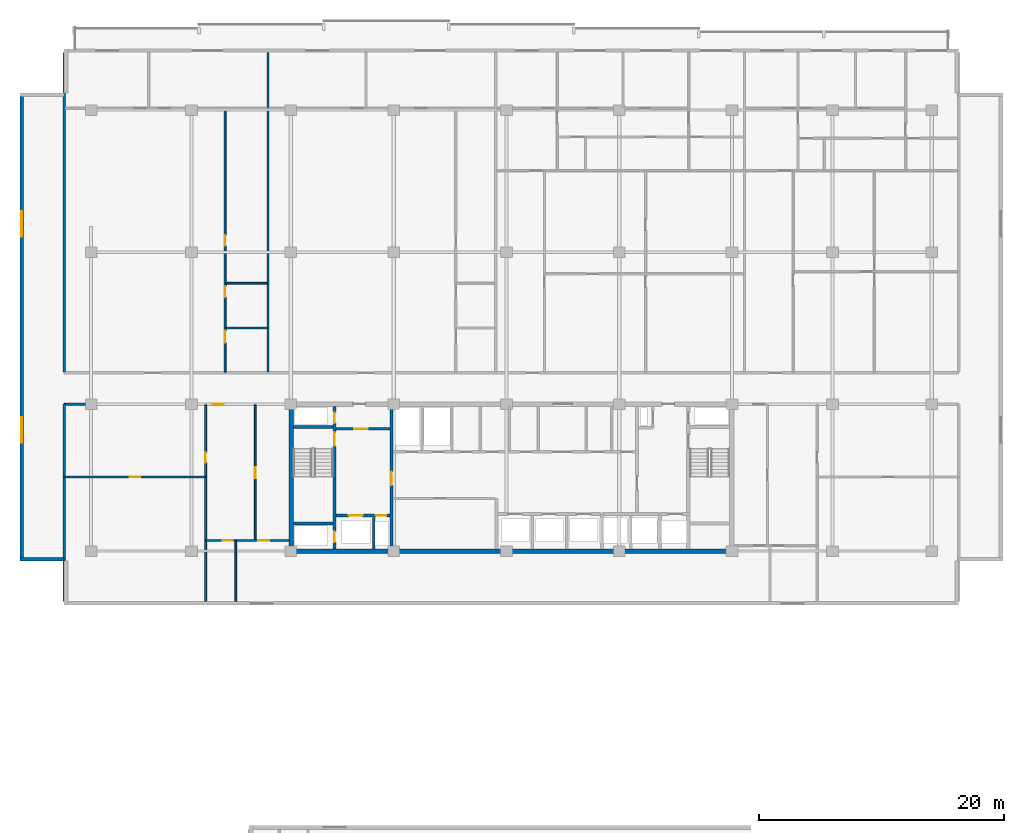
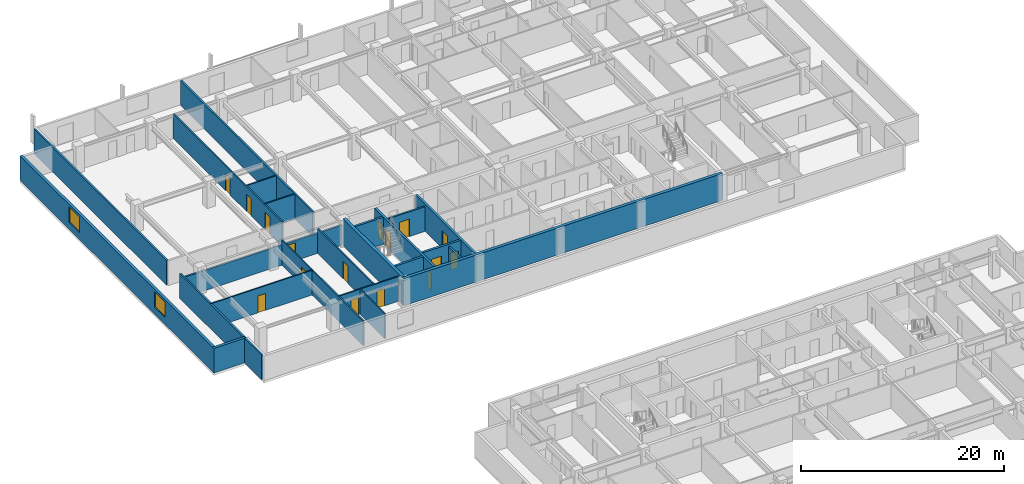
# One storey, part 11 of 22: 23 walls, 16 doors, 2 windows, 18 openings.
"""IFC4 building model written with IfcOpenShell, lengths in metres."""

from ifc_helpers import new_model, si_unit, direction, frame, frame_2d, origin, place, context, subcontext, project, spatial, rectangle, extrude, material, layer, layer_set, type_object, element, fill, save


model = new_model("IFC4")

# Units and contexts
model_context = context("Model", 3, precision=1e-05, world=origin(), true_north=direction((0.0, 1.0)))
body_context = subcontext(model_context, "Body", "Model", "MODEL_VIEW")
ifc_project = project(units=[si_unit("LENGTHUNIT", "METRE"), si_unit("AREAUNIT", "SQUARE_METRE"), si_unit("VOLUMEUNIT", "CUBIC_METRE"), si_unit("PLANEANGLEUNIT", "RADIAN"), si_unit("MASSUNIT", "GRAM", prefix="KILO")], contexts=[model_context])

# Site, building, storey
site_placement = place(None, origin())
site = spatial("IfcSite", under=ifc_project, at=site_placement, CompositionType="ELEMENT")
building_placement = place(site_placement, origin())
building = spatial("IfcBuilding", under=site, at=building_placement, Name="Korimba Cascade Residences", CompositionType="ELEMENT")
storey_placement = place(building_placement, frame((0.0, 0.0, 129.550048828125)))
storey = spatial("IfcBuildingStorey", under=building, at=storey_placement, Name="L37", CompositionType="ELEMENT", Elevation=129.550048828125)

# Wall, openings, windows
ifc_material_1 = material(Name="Precast concrete C40/50", Category="concrete")
ifc_layer_1 = layer(ifc_material_1, 0.300048828125)
ifc_layer_set_1 = layer_set([ifc_layer_1], Name="Precast concrete C40/50")
wall_type_1 = type_object("IfcWallType", Name="EW-STONE-300", PredefinedType="STANDARD", material=ifc_layer_set_1)
wall_1_placement = place(storey_placement, frame((54.14990234375, 92.60009765625, 0.0), z_axis=(0.0, 0.0, 1.0), x_axis=(0.0, -1.0, 0.0)))
wall_1 = element("IfcWall", 1, at=wall_1_placement, inside=storey, type_object=wall_type_1, Name="L37 T1 Perimeter Stone Wall E09", PredefinedType="STANDARD", context=body_context, shape_type="SweptSolid", body=[
    extrude(rectangle(XDim=38.2001953125, YDim=0.300048828125, at=frame_2d((19.10009765625, 0.0))), origin(), (0.0, 0.0, 1.0), 2.969970703125),
])
opening_1_placement = place(wall_1_placement, frame((9.64599609375, 0.0, 0.85009765625)))
opening_1 = element("IfcOpeningElement", 2, at=opening_1_placement, cuts=wall_1, Name="Opening W-03", PredefinedType="OPENING", context=body_context, shape_type="SweptSolid", body=[
    extrude(rectangle(XDim=2.10009765625, YDim=1.85009765625, at=frame_2d((1.050048828125, 0.925048828125))), frame((0.0, 0.16015625, 0.0), z_axis=(0.0, -1.0, 0.0), x_axis=(1.0, 0.0, 0.0)), (0.0, 0.0, 1.0), 0.320068359375),
])
opening_2_placement = place(wall_1_placement, frame((26.4541015625, 0.0, 0.85009765625)))
opening_2 = element("IfcOpeningElement", 3, at=opening_2_placement, cuts=wall_1, Name="Opening W-03", PredefinedType="OPENING", context=body_context, shape_type="SweptSolid", body=[
    extrude(rectangle(XDim=2.10009765625, YDim=1.85009765625, at=frame_2d((1.050048828125, 0.925048828125))), frame((0.0, 0.16015625, 0.0), z_axis=(0.0, -1.0, 0.0), x_axis=(1.0, 0.0, 0.0)), (0.0, 0.0, 1.0), 0.320068359375),
])
ifc_material_2 = material(Name="Double-Glazed Aluminium Window", Category="aluminium")
window_type = type_object("IfcWindowType", Name="WIN-CRN-2100", PartitioningType="DOUBLE_PANEL_HORIZONTAL", PredefinedType="WINDOW", material=ifc_material_2)
window_1_placement = place(opening_1_placement, origin())
window_1 = element("IfcWindow", 4, at=window_1_placement, inside=storey, type_object=window_type, Name="L37 T1 End View Window 9.1", OverallHeight=1.85009765625, OverallWidth=2.10009765625, PartitioningType="DOUBLE_PANEL_HORIZONTAL", PredefinedType="WINDOW", context=body_context, shape_type="SweptSolid", body=[
    extrude(rectangle(XDim=2.10009765625, YDim=1.85009765625, at=frame_2d((1.050048828125, 0.925048828125))), frame((0.0, 0.030029296875, 0.0), z_axis=(0.0, -1.0, 0.0), x_axis=(1.0, 0.0, 0.0)), (0.0, 0.0, 1.0), 0.06005859375),
])
fill(opening_1, window_1)
window_2_placement = place(opening_2_placement, origin())
window_2 = element("IfcWindow", 5, at=window_2_placement, inside=storey, type_object=window_type, Name="L37 T1 End View Window 9.2", OverallHeight=1.85009765625, OverallWidth=2.10009765625, PartitioningType="DOUBLE_PANEL_HORIZONTAL", PredefinedType="WINDOW", context=body_context, shape_type="SweptSolid", body=[
    extrude(rectangle(XDim=2.10009765625, YDim=1.85009765625, at=frame_2d((1.050048828125, 0.925048828125))), frame((0.0, 0.030029296875, 0.0), z_axis=(0.0, -1.0, 0.0), x_axis=(1.0, 0.0, 0.0)), (0.0, 0.0, 1.0), 0.06005859375),
])
fill(opening_2, window_2)

# Walls
wall_2_placement = place(storey_placement, frame((54.0, 54.550048828125, 0.0), z_axis=(0.0, 0.0, 1.0), x_axis=(1.0, 0.0, 0.0)))
element("IfcWall", 6, at=wall_2_placement, inside=storey, type_object=wall_type_1, Name="L37 T1 Perimeter Stone Wall E10", PredefinedType="STANDARD", context=body_context, shape_type="SweptSolid", body=[
    extrude(rectangle(XDim=3.60009765625, YDim=0.300048828125, at=frame_2d((1.800048828125, 0.0))), origin(), (0.0, 0.0, 1.0), 2.969970703125),
])
ifc_material_3 = material(Name="Concrete C65/80", Category="concrete")
ifc_layer_2 = layer(ifc_material_3, 0.35009765625)
ifc_layer_set_2 = layer_set([ifc_layer_2], Name="Concrete C65/80")
wall_type_2 = type_object("IfcWallType", Name="WAL-CORE-350", PredefinedType="SHEAR", material=ifc_layer_set_2)
wall_3_placement = place(storey_placement, frame((75.949951171875, 55.199951171875, 0.0), z_axis=(0.0, 0.0, 1.0), x_axis=(1.0, 0.0, 0.0)))
element("IfcWall", 7, at=wall_3_placement, inside=storey, type_object=wall_type_2, Name="L37 Core Shear Wall CW-L37-T1-S", PredefinedType="SHEAR", context=body_context, shape_type="SweptSolid", body=[
    extrude(rectangle(XDim=36.300048828125, YDim=0.35009765625, at=frame_2d((18.14990234375, 0.0))), origin(), (0.0, 0.0, 1.0), 3.25),
])
wall_4_placement = place(storey_placement, frame((76.125, 55.375, 0.0), z_axis=(0.0, 0.0, 1.0), x_axis=(0.0, 1.0, 0.0)))
element("IfcWall", 8, at=wall_4_placement, inside=storey, type_object=wall_type_2, Name="L37 Core Shear Wall CW-L37-T1-W", PredefinedType="SHEAR", context=body_context, shape_type="SweptSolid", body=[
    extrude(rectangle(XDim=11.64990234375, YDim=0.35009765625, at=frame_2d((5.824951171875, 0.0))), origin(), (0.0, 0.0, 1.0), 3.25),
])
ifc_layer_3 = layer(ifc_material_1, 0.199951171875)
ifc_layer_set_3 = layer_set([ifc_layer_3], Name="Precast concrete C40/50")
wall_type_3 = type_object("IfcWallType", Name="WAL-IT-200", PredefinedType="PARTITIONING", material=ifc_layer_set_3)
wall_5_placement = place(storey_placement, frame((57.60009765625, 51.10009765625, 0.0), z_axis=(0.0, 0.0, 1.0), x_axis=(0.0, 1.0, 0.0)))
element("IfcWall", 9, at=wall_5_placement, inside=storey, type_object=wall_type_3, Name="L37 Partition Wall WAL-L37-T1-FW-WL", PredefinedType="PARTITIONING", context=body_context, shape_type="SweptSolid", body=[
    extrude(rectangle(XDim=16.099853515625, YDim=0.199951171875, at=frame_2d((8.0498046875, 0.0))), origin(), (0.0, 0.0, 1.0), 2.969970703125),
])

# Wall, opening, door
wall_6_placement = place(storey_placement, frame((57.60009765625, 67.199951171875, 0.0), z_axis=(0.0, 0.0, 1.0), x_axis=(1.0, 0.0, 0.0)))
wall_6 = element("IfcWall", 10, at=wall_6_placement, inside=storey, type_object=wall_type_3, Name="L37 Partition Wall WAL-L37-T1-FW-N", PredefinedType="PARTITIONING", context=body_context, shape_type="SweptSolid", body=[
    extrude(rectangle(XDim=18.349853515625, YDim=0.199951171875, at=frame_2d((9.1748046875, 0.0))), origin(), (0.0, 0.0, 1.0), 2.433349609375),
])
opening_3_placement = place(wall_6_placement, frame((12.07470703125, 0.0, 0.0)))
opening_3 = element("IfcOpeningElement", 11, at=opening_3_placement, cuts=wall_6, Name="Opening D-UN1", PredefinedType="OPENING", context=body_context, shape_type="SweptSolid", body=[
    extrude(rectangle(XDim=0.949951171875, YDim=2.14990234375, at=frame_2d((0.47509765625, 1.074951171875))), frame((0.0, 0.10986328125, 0.0), z_axis=(0.0, -1.0, 0.0), x_axis=(1.0, 0.0, 0.0)), (0.0, 0.0, 1.0), 0.219970703125),
])
ifc_material_4 = material(Name="Fire-Rated Hardwood Apartment Entrance Door", Category="wood")
door_type_1 = type_object("IfcDoorType", Name="DR-FD60-950", OperationType="NOTDEFINED", PredefinedType="DOOR", material=ifc_material_4)
door_1_placement = place(opening_3_placement, origin())
door_1 = element("IfcDoor", 12, at=door_1_placement, inside=storey, type_object=door_type_1, Name="L37-T1-FW Entrance Door", OperationType="SINGLE_SWING_LEFT", OverallHeight=2.14990234375, OverallWidth=0.949951171875, PredefinedType="DOOR", context=body_context, shape_type="SweptSolid", body=[
    extrude(rectangle(XDim=0.949951171875, YDim=2.14990234375, at=frame_2d((0.47509765625, 1.074951171875))), frame((0.0, 0.02490234375, 0.0), z_axis=(0.0, -1.0, 0.0), x_axis=(1.0, 0.0, 0.0)), (0.0, 0.0, 1.0), 0.050048828125),
])
fill(opening_3, door_1)

# Walls
for number, where, z_axis, x_axis, name in (
    (13, (57.60009765625, 69.830078125, 0.0), (0.0, 0.0, 1.0), (0.0, 1.0, 0.0), "L37 Partition Wall WAL-L37-T1-BNDWL"),
    (14, (74.237548828125, 69.830078125, 0.0), (0.0, 0.0, 1.0), (0.0, 1.0, 0.0), "L37 Partition Wall WAL-L37-T1-DEM-1"),
):
    element("IfcWall", number, at=place(storey_placement, frame(where, z_axis=z_axis, x_axis=x_axis)), inside=storey, type_object=wall_type_3, Name=name, PredefinedType="PARTITIONING", context=body_context, shape_type="SweptSolid", body=[
        extrude(rectangle(XDim=26.06982421875, YDim=0.199951171875, at=frame_2d((13.034912109375, 0.0))), origin(), (0.0, 0.0, 1.0), 2.969970703125),
    ])

# Wall, opening, door
ifc_material_5 = material(Name="Insulated Acoustic Stud Partition", Category="gypsum")
ifc_layer_4 = layer(ifc_material_5, 0.14990234375)
ifc_layer_set_4 = layer_set([ifc_layer_4], Name="Insulated Acoustic Stud Partition")
wall_type_4 = type_object("IfcWallType", Name="WAL-PART-150", PredefinedType="PARTITIONING", material=ifc_layer_set_4)
wall_7_placement = place(storey_placement, frame((57.60009765625, 61.25, 0.0), z_axis=(0.0, 0.0, 1.0), x_axis=(1.0, 0.0, 0.0)))
wall_7 = element("IfcWall", 15, at=wall_7_placement, inside=storey, type_object=wall_type_4, Name="L37 Partition Wall WAL-L37-T1-FW-STH", PredefinedType="PARTITIONING", context=body_context, shape_type="SweptSolid", body=[
    extrude(rectangle(XDim=11.5498046875, YDim=0.14990234375, at=frame_2d((5.77490234375, 0.0))), origin(), (0.0, 0.0, 1.0), 2.969970703125),
])
opening_4_placement = place(wall_7_placement, frame((5.35498046875, 0.0, 0.0)))
opening_4 = element("IfcOpeningElement", 16, at=opening_4_placement, cuts=wall_7, Name="Opening D-BT1", PredefinedType="OPENING", context=body_context, shape_type="SweptSolid", body=[
    extrude(rectangle(XDim=0.840087890625, YDim=2.0400390625, at=frame_2d((0.419921875, 1.02001953125))), frame((0.0, 0.0849609375, 0.0), z_axis=(0.0, -1.0, 0.0), x_axis=(1.0, 0.0, 0.0)), (0.0, 0.0, 1.0), 0.169921875),
])
ifc_material_6 = material(Name="Moisture-Resistant Bathroom Timber Door", Category="wood")
door_type_2 = type_object("IfcDoorType", Name="DR-INT-850", OperationType="NOTDEFINED", PredefinedType="DOOR", material=ifc_material_6)
door_2_placement = place(opening_4_placement, origin())
door_2 = element("IfcDoor", 17, at=door_2_placement, inside=storey, type_object=door_type_2, Name="L37-T1-FW Dressing Store Door", OperationType="SINGLE_SWING_RIGHT", OverallHeight=2.0400390625, OverallWidth=0.840087890625, PredefinedType="DOOR", context=body_context, shape_type="SweptSolid", body=[
    extrude(rectangle(XDim=0.840087890625, YDim=2.0400390625, at=frame_2d((0.419921875, 1.02001953125))), frame((0.0, 0.02490234375, 0.0), z_axis=(0.0, -1.0, 0.0), x_axis=(1.0, 0.0, 0.0)), (0.0, 0.0, 1.0), 0.050048828125),
])
fill(opening_4, door_2)

wall_8_placement = place(storey_placement, frame((69.14990234375, 51.10009765625, 0.0), z_axis=(0.0, 0.0, 1.0), x_axis=(0.0, 1.0, 0.0)))
wall_8 = element("IfcWall", 18, at=wall_8_placement, inside=storey, type_object=wall_type_4, Name="L37 Partition Wall WAL-L37-T1-FW-STV", PredefinedType="PARTITIONING", context=body_context, shape_type="SweptSolid", body=[
    extrude(rectangle(XDim=16.0498046875, YDim=0.14990234375, at=frame_2d((8.02490234375, 0.0))), origin(), (0.0, 0.0, 1.0), 2.969970703125),
])
opening_5_placement = place(wall_8_placement, frame((11.300048828125, 0.0, 0.0)))
opening_5 = element("IfcOpeningElement", 19, at=opening_5_placement, cuts=wall_8, Name="Opening D-IN2", PredefinedType="OPENING", context=body_context, shape_type="SweptSolid", body=[
    extrude(rectangle(XDim=0.8798828125, YDim=2.06005859375, at=frame_2d((0.43994140625, 1.030029296875))), frame((0.0, 0.0849609375, 0.0), z_axis=(0.0, -1.0, 0.0), x_axis=(1.0, 0.0, 0.0)), (0.0, 0.0, 1.0), 0.169921875),
])
ifc_material_7 = material(Name="Acoustic Timber Bedroom Door", Category="wood")
door_type_3 = type_object("IfcDoorType", Name="DR-INT-880", OperationType="NOTDEFINED", PredefinedType="DOOR", material=ifc_material_7)
door_3_placement = place(opening_5_placement, origin())
door_3 = element("IfcDoor", 20, at=door_3_placement, inside=storey, type_object=door_type_3, Name="L37-T1-FW Study Door", OperationType="SINGLE_SWING_LEFT", OverallHeight=2.06005859375, OverallWidth=0.8798828125, PredefinedType="DOOR", context=body_context, shape_type="SweptSolid", body=[
    extrude(rectangle(XDim=0.8798828125, YDim=2.06005859375, at=frame_2d((0.43994140625, 1.030029296875))), frame((0.0, 0.02490234375, 0.0), z_axis=(0.0, -1.0, 0.0), x_axis=(1.0, 0.0, 0.0)), (0.0, 0.0, 1.0), 0.050048828125),
])
fill(opening_5, door_3)

wall_9_placement = place(storey_placement, frame((73.199951171875, 56.070068359375, 0.0), z_axis=(0.0, 0.0, 1.0), x_axis=(0.0, 1.0, 0.0)))
wall_9 = element("IfcWall", 21, at=wall_9_placement, inside=storey, type_object=wall_type_4, Name="L37 Partition Wall WAL-L37-T1-FW-VN", PredefinedType="PARTITIONING", context=body_context, shape_type="SweptSolid", body=[
    extrude(rectangle(XDim=11.079833984375, YDim=0.14990234375, at=frame_2d((5.5400390625, 0.0))), origin(), (0.0, 0.0, 1.0), 2.969970703125),
])
opening_6_placement = place(wall_9_placement, frame((5.080078125, 0.0, 0.0)))
opening_6 = element("IfcOpeningElement", 22, at=opening_6_placement, cuts=wall_9, Name="Opening D-IN1", PredefinedType="OPENING", context=body_context, shape_type="SweptSolid", body=[
    extrude(rectangle(XDim=0.919921875, YDim=2.080078125, at=frame_2d((0.4599609375, 1.0400390625))), frame((0.0, 0.0849609375, 0.0), z_axis=(0.0, -1.0, 0.0), x_axis=(1.0, 0.0, 0.0)), (0.0, 0.0, 1.0), 0.169921875),
])
ifc_material_8 = material(Name="Acoustic Timber Living Door", Category="wood")
door_type_4 = type_object("IfcDoorType", Name="DR-INT-920", OperationType="NOTDEFINED", PredefinedType="DOOR", material=ifc_material_8)
door_4_placement = place(opening_6_placement, origin())
door_4 = element("IfcDoor", 23, at=door_4_placement, inside=storey, type_object=door_type_4, Name="L37-T1-FW Living Door", OperationType="SINGLE_SWING_RIGHT", OverallHeight=2.080078125, OverallWidth=0.919921875, PredefinedType="DOOR", context=body_context, shape_type="SweptSolid", body=[
    extrude(rectangle(XDim=0.919921875, YDim=2.080078125, at=frame_2d((0.4599609375, 1.0400390625))), frame((0.0, 0.02490234375, 0.0), z_axis=(0.0, -1.0, 0.0), x_axis=(1.0, 0.0, 0.0)), (0.0, 0.0, 1.0), 0.050048828125),
])
fill(opening_6, door_4)

# Wall
wall_10_placement = place(storey_placement, frame((71.60009765625, 51.10009765625, 0.0), z_axis=(0.0, 0.0, 1.0), x_axis=(0.0, 1.0, 0.0)))
element("IfcWall", 24, at=wall_10_placement, inside=storey, type_object=wall_type_4, Name="L37 Partition Wall WAL-L37-T1-FW-VS", PredefinedType="PARTITIONING", context=body_context, shape_type="SweptSolid", body=[
    extrude(rectangle(XDim=4.969970703125, YDim=0.14990234375, at=frame_2d((2.48486328125, 0.0))), origin(), (0.0, 0.0, 1.0), 2.969970703125),
])

# Wall, openings, doors
wall_11_placement = place(storey_placement, frame((69.169921875, 56.070068359375, 0.0), z_axis=(0.0, 0.0, 1.0), x_axis=(1.0, 0.0, 0.0)))
wall_11 = element("IfcWall", 25, at=wall_11_placement, inside=storey, type_object=wall_type_4, Name="L37 Partition Wall WAL-L37-T1-FW-H", PredefinedType="PARTITIONING", context=body_context, shape_type="SweptSolid", body=[
    extrude(rectangle(XDim=6.760009765625, YDim=0.14990234375, at=frame_2d((3.3798828125, 0.0))), origin(), (0.0, 0.0, 1.0), 2.969970703125),
])
opening_7_placement = place(wall_11_placement, frame((1.3623046875, 0.0, 0.0)))
opening_7 = element("IfcOpeningElement", 26, at=opening_7_placement, cuts=wall_11, Name="Opening D-BT1", PredefinedType="OPENING", context=body_context, shape_type="SweptSolid", body=[
    extrude(rectangle(XDim=0.840087890625, YDim=2.0400390625, at=frame_2d((0.419921875, 1.02001953125))), frame((0.0, 0.0849609375, 0.0), z_axis=(0.0, -1.0, 0.0), x_axis=(1.0, 0.0, 0.0)), (0.0, 0.0, 1.0), 0.169921875),
])
opening_8_placement = place(wall_11_placement, frame((4.276611328125, 0.0, 0.0)))
opening_8 = element("IfcOpeningElement", 27, at=opening_8_placement, cuts=wall_11, Name="Opening D-IN2", PredefinedType="OPENING", context=body_context, shape_type="SweptSolid", body=[
    extrude(rectangle(XDim=0.8798828125, YDim=2.06005859375, at=frame_2d((0.43994140625, 1.030029296875))), frame((0.0, 0.0849609375, 0.0), z_axis=(0.0, -1.0, 0.0), x_axis=(1.0, 0.0, 0.0)), (0.0, 0.0, 1.0), 0.169921875),
])
door_5_placement = place(opening_7_placement, origin())
door_5 = element("IfcDoor", 28, at=door_5_placement, inside=storey, type_object=door_type_2, Name="L37-T1-FW Bathroom Door", OperationType="SINGLE_SWING_LEFT", OverallHeight=2.0400390625, OverallWidth=0.840087890625, PredefinedType="DOOR", context=body_context, shape_type="SweptSolid", body=[
    extrude(rectangle(XDim=0.840087890625, YDim=2.0400390625, at=frame_2d((0.419921875, 1.02001953125))), frame((0.0, 0.02490234375, 0.0), z_axis=(0.0, -1.0, 0.0), x_axis=(1.0, 0.0, 0.0)), (0.0, 0.0, 1.0), 0.050048828125),
])
fill(opening_7, door_5)
door_6_placement = place(opening_8_placement, origin())
door_6 = element("IfcDoor", 29, at=door_6_placement, inside=storey, type_object=door_type_3, Name="L37-T1-FW Bedroom Door", OperationType="SINGLE_SWING_RIGHT", OverallHeight=2.06005859375, OverallWidth=0.8798828125, PredefinedType="DOOR", context=body_context, shape_type="SweptSolid", body=[
    extrude(rectangle(XDim=0.8798828125, YDim=2.06005859375, at=frame_2d((0.43994140625, 1.030029296875))), frame((0.0, 0.02490234375, 0.0), z_axis=(0.0, -1.0, 0.0), x_axis=(1.0, 0.0, 0.0)), (0.0, 0.0, 1.0), 0.050048828125),
])
fill(opening_8, door_6)

# Walls
for number, where, z_axis, x_axis, name in (
    (30, (70.797607421875, 73.419921875, 0.0), (0.0, 0.0, 1.0), (1.0, 0.0, 0.0), "L37 Partition Wall WAL-L37-T1-U01-WCH"),
    (31, (70.797607421875, 77.070068359375, 0.0), (0.0, 0.0, 1.0), (1.0, 0.0, 0.0), "L37 Partition Wall WAL-L37-T1-U01-WCH2"),
):
    element("IfcWall", number, at=place(storey_placement, frame(where, z_axis=z_axis, x_axis=x_axis)), inside=storey, type_object=wall_type_4, Name=name, PredefinedType="PARTITIONING", context=body_context, shape_type="SweptSolid", body=[
        extrude(rectangle(XDim=3.35986328125, YDim=0.14990234375, at=frame_2d((1.679931640625, 0.0))), origin(), (0.0, 0.0, 1.0), 2.969970703125),
    ])

# Wall, openings, doors
wall_12_placement = place(storey_placement, frame((70.737548828125, 69.81005859375, 0.0), z_axis=(0.0, 0.0, 1.0), x_axis=(0.0, 1.0, 0.0)))
wall_12 = element("IfcWall", 32, at=wall_12_placement, inside=storey, type_object=wall_type_4, Name="L37 Partition Wall WAL-L37-T1-U01-WCV", PredefinedType="PARTITIONING", context=body_context, shape_type="SweptSolid", body=[
    extrude(rectangle(XDim=21.47998046875, YDim=0.14990234375, at=frame_2d((10.739990234375, 0.0))), origin(), (0.0, 0.0, 1.0), 2.969970703125),
])
opening_9_placement = place(wall_12_placement, frame((2.406005859375, 0.0, 0.0)))
opening_9 = element("IfcOpeningElement", 33, at=opening_9_placement, cuts=wall_12, Name="Opening D-AC1", PredefinedType="OPENING", context=body_context, shape_type="SweptSolid", body=[
    extrude(rectangle(XDim=0.9599609375, YDim=2.10009765625, at=frame_2d((0.47998046875, 1.050048828125))), frame((0.0, 0.0849609375, 0.0), z_axis=(0.0, -1.0, 0.0), x_axis=(1.0, 0.0, 0.0)), (0.0, 0.0, 1.0), 0.169921875),
])
opening_10_placement = place(wall_12_placement, frame((6.132568359375, 0.0, 0.0)))
opening_10 = element("IfcOpeningElement", 34, at=opening_10_placement, cuts=wall_12, Name="Opening D-IN2", PredefinedType="OPENING", context=body_context, shape_type="SweptSolid", body=[
    extrude(rectangle(XDim=0.8798828125, YDim=2.06005859375, at=frame_2d((0.43994140625, 1.030029296875))), frame((0.0, 0.0849609375, 0.0), z_axis=(0.0, -1.0, 0.0), x_axis=(1.0, 0.0, 0.0)), (0.0, 0.0, 1.0), 0.169921875),
])
opening_11_placement = place(wall_12_placement, frame((10.320068359375, 0.0, 0.0)))
opening_11 = element("IfcOpeningElement", 35, at=opening_11_placement, cuts=wall_12, Name="Opening D-BT1", PredefinedType="OPENING", context=body_context, shape_type="SweptSolid", body=[
    extrude(rectangle(XDim=0.840087890625, YDim=2.0400390625, at=frame_2d((0.419921875, 1.02001953125))), frame((0.0, 0.0849609375, 0.0), z_axis=(0.0, -1.0, 0.0), x_axis=(1.0, 0.0, 0.0)), (0.0, 0.0, 1.0), 0.169921875),
])
ifc_material_9 = material(Name="Accessible Acoustic Timber WC Door", Category="wood")
door_type_5 = type_object("IfcDoorType", Name="DR-ACC-950", OperationType="NOTDEFINED", PredefinedType="DOOR", material=ifc_material_9)
door_7_placement = place(opening_9_placement, origin())
door_7 = element("IfcDoor", 36, at=door_7_placement, inside=storey, type_object=door_type_5, Name="L37-T1-U01 Accessible WC Door", OperationType="SINGLE_SWING_RIGHT", OverallHeight=2.10009765625, OverallWidth=0.9599609375, PredefinedType="DOOR", context=body_context, shape_type="SweptSolid", body=[
    extrude(rectangle(XDim=0.9599609375, YDim=2.10009765625, at=frame_2d((0.47998046875, 1.050048828125))), frame((0.0, 0.02490234375, 0.0), z_axis=(0.0, -1.0, 0.0), x_axis=(1.0, 0.0, 0.0)), (0.0, 0.0, 1.0), 0.050048828125),
])
fill(opening_9, door_7)
door_8_placement = place(opening_11_placement, origin())
door_8 = element("IfcDoor", 37, at=door_8_placement, inside=storey, type_object=door_type_2, Name="L37-T1-U01 Suite Store Door", OperationType="SINGLE_SWING_RIGHT", OverallHeight=2.0400390625, OverallWidth=0.840087890625, PredefinedType="DOOR", context=body_context, shape_type="SweptSolid", body=[
    extrude(rectangle(XDim=0.840087890625, YDim=2.0400390625, at=frame_2d((0.419921875, 1.02001953125))), frame((0.0, 0.02490234375, 0.0), z_axis=(0.0, -1.0, 0.0), x_axis=(1.0, 0.0, 0.0)), (0.0, 0.0, 1.0), 0.050048828125),
])
fill(opening_11, door_8)
door_9_placement = place(opening_10_placement, origin())
door_9 = element("IfcDoor", 38, at=door_9_placement, inside=storey, type_object=door_type_3, Name="L37-T1-U01 Restroom WC Door", OperationType="SINGLE_SWING_LEFT", OverallHeight=2.06005859375, OverallWidth=0.8798828125, PredefinedType="DOOR", context=body_context, shape_type="SweptSolid", body=[
    extrude(rectangle(XDim=0.8798828125, YDim=2.06005859375, at=frame_2d((0.43994140625, 1.030029296875))), frame((0.0, 0.02490234375, 0.0), z_axis=(0.0, -1.0, 0.0), x_axis=(1.0, 0.0, 0.0)), (0.0, 0.0, 1.0), 0.050048828125),
])
fill(opening_10, door_9)

# Wall
ifc_material_10 = material(Name="Concrete C40/50", Category="concrete")
ifc_layer_5 = layer(ifc_material_10, 0.199951171875)
ifc_layer_set_5 = layer_set([ifc_layer_5], Name="Concrete C40/50")
wall_type_5 = type_object("IfcWallType", Name="WAL-PART-200", PredefinedType="PARTITIONING", material=ifc_layer_set_5)
wall_13_placement = place(storey_placement, frame((82.85009765625, 55.39990234375, 0.0), z_axis=(0.0, 0.0, 1.0), x_axis=(0.0, 1.0, 0.0)))
element("IfcWall", 39, at=wall_13_placement, inside=storey, type_object=wall_type_5, Name="L37 Partition Wall CW-L37-T1-FFLDIV", PredefinedType="PARTITIONING", context=body_context, shape_type="SweptSolid", body=[
    extrude(rectangle(XDim=2.56005859375, YDim=0.199951171875, at=frame_2d((1.280029296875, 0.0))), origin(), (0.0, 0.0, 1.0), 2.969970703125),
])

# Wall, opening, door
wall_14_placement = place(storey_placement, frame((79.7900390625, 65.179931640625, 0.0), z_axis=(0.0, 0.0, 1.0), x_axis=(1.0, 0.0, 0.0)))
wall_14 = element("IfcWall", 40, at=wall_14_placement, inside=storey, type_object=wall_type_5, Name="L37 Partition Wall CW-L37-T1-FFLN", PredefinedType="PARTITIONING", context=body_context, shape_type="SweptSolid", body=[
    extrude(rectangle(XDim=4.389892578125, YDim=0.199951171875, at=frame_2d((2.19482421875, 0.0))), origin(), (0.0, 0.0, 1.0), 2.969970703125),
])
opening_12_placement = place(wall_14_placement, frame((1.5, 0.0, 0.0)))
opening_12 = element("IfcOpeningElement", 41, at=opening_12_placement, cuts=wall_14, Name="Opening D-FD1", PredefinedType="OPENING", context=body_context, shape_type="SweptSolid", body=[
    extrude(rectangle(XDim=1.10009765625, YDim=2.10009765625, at=frame_2d((0.550048828125, 1.050048828125))), frame((0.0, 0.10986328125, 0.0), z_axis=(0.0, -1.0, 0.0), x_axis=(1.0, 0.0, 0.0)), (0.0, 0.0, 1.0), 0.219970703125),
])
ifc_material_11 = material(Name="Fire-Rated Steel Core Door", Category="steel")
door_type_6 = type_object("IfcDoorType", Name="DR-FD120-1100", OperationType="NOTDEFINED", PredefinedType="DOOR", material=ifc_material_11)
door_10_placement = place(opening_12_placement, origin())
door_10 = element("IfcDoor", 42, at=door_10_placement, inside=storey, type_object=door_type_6, Name="L37 West Firefighting Lobby Door", OperationType="SINGLE_SWING_RIGHT", OverallHeight=2.10009765625, OverallWidth=1.10009765625, PredefinedType="DOOR", context=body_context, shape_type="SweptSolid", body=[
    extrude(rectangle(XDim=1.10009765625, YDim=2.10009765625, at=frame_2d((0.550048828125, 1.050048828125))), frame((0.0, 0.02490234375, 0.0), z_axis=(0.0, -1.0, 0.0), x_axis=(1.0, 0.0, 0.0)), (0.0, 0.0, 1.0), 0.050048828125),
])
fill(opening_12, door_10)

# Wall, openings, doors
ifc_material_12 = material(Name="Concrete C50/60", Category="concrete")
ifc_layer_6 = layer(ifc_material_12, 0.25)
ifc_layer_set_6 = layer_set([ifc_layer_6], Name="Concrete C50/60")
wall_type_6 = type_object("IfcWallType", Name="WAL-SHAFT-250", PredefinedType="SHEAR", material=ifc_layer_set_6)
wall_15_placement = place(storey_placement, frame((79.6650390625, 55.39990234375, 0.0), z_axis=(0.0, 0.0, 1.0), x_axis=(0.0, 1.0, 0.0)))
wall_15 = element("IfcWall", 43, at=wall_15_placement, inside=storey, type_object=wall_type_6, Name="L37 Core Shear Wall CW-L37-T1-STW1E", PredefinedType="SHEAR", context=body_context, shape_type="SweptSolid", body=[
    extrude(rectangle(XDim=11.60009765625, YDim=0.25, at=frame_2d((5.800048828125, 0.0))), origin(), (0.0, 0.0, 1.0), 3.25),
])
opening_13_placement = place(wall_15_placement, frame((0.550048828125, 0.0, 0.0)))
opening_13 = element("IfcOpeningElement", 44, at=opening_13_placement, cuts=wall_15, Name="Opening D-RS1", PredefinedType="OPENING", context=body_context, shape_type="SweptSolid", body=[
    extrude(rectangle(XDim=0.85009765625, YDim=2.050048828125, at=frame_2d((0.425048828125, 1.02490234375))), frame((0.0, 0.135009765625, 0.0), z_axis=(0.0, -1.0, 0.0), x_axis=(1.0, 0.0, 0.0)), (0.0, 0.0, 1.0), 0.27001953125),
])
opening_14_placement = place(wall_15_placement, frame((8.39990234375, 0.0, 0.0)))
opening_14 = element("IfcOpeningElement", 45, at=opening_14_placement, cuts=wall_15, Name="Opening D-FD1", PredefinedType="OPENING", context=body_context, shape_type="SweptSolid", body=[
    extrude(rectangle(XDim=1.10009765625, YDim=2.10009765625, at=frame_2d((0.550048828125, 1.050048828125))), frame((0.0, 0.135009765625, 0.0), z_axis=(0.0, -1.0, 0.0), x_axis=(1.0, 0.0, 0.0)), (0.0, 0.0, 1.0), 0.27001953125),
])
opening_15_placement = place(wall_15_placement, frame((10.25, 0.0, 0.0)))
opening_15 = element("IfcOpeningElement", 46, at=opening_15_placement, cuts=wall_15, Name="Opening D-RS1", PredefinedType="OPENING", context=body_context, shape_type="SweptSolid", body=[
    extrude(rectangle(XDim=0.85009765625, YDim=2.050048828125, at=frame_2d((0.425048828125, 1.02490234375))), frame((0.0, 0.135009765625, 0.0), z_axis=(0.0, -1.0, 0.0), x_axis=(1.0, 0.0, 0.0)), (0.0, 0.0, 1.0), 0.27001953125),
])
door_11_placement = place(opening_14_placement, origin())
door_11 = element("IfcDoor", 47, at=door_11_placement, inside=storey, type_object=door_type_6, Name="L37 Fire Stair ST-W1 Door", OperationType="SINGLE_SWING_LEFT", OverallHeight=2.10009765625, OverallWidth=1.10009765625, PredefinedType="DOOR", context=body_context, shape_type="SweptSolid", body=[
    extrude(rectangle(XDim=1.10009765625, YDim=2.10009765625, at=frame_2d((0.550048828125, 1.050048828125))), frame((0.0, 0.02490234375, 0.0), z_axis=(0.0, -1.0, 0.0), x_axis=(1.0, 0.0, 0.0)), (0.0, 0.0, 1.0), 0.050048828125),
])
fill(opening_14, door_11)
ifc_material_13 = material(Name="Fire-Rated Steel Riser Access Door", Category="steel")
door_type_7 = type_object("IfcDoorType", Name="DR-FD60-850", OperationType="NOTDEFINED", PredefinedType="DOOR", material=ifc_material_13)
door_12_placement = place(opening_13_placement, origin())
door_12 = element("IfcDoor", 48, at=door_12_placement, inside=storey, type_object=door_type_7, Name="L37 Smoke Riser Access Door", OperationType="SINGLE_SWING_RIGHT", OverallHeight=2.050048828125, OverallWidth=0.85009765625, PredefinedType="DOOR", context=body_context, shape_type="SweptSolid", body=[
    extrude(rectangle(XDim=0.85009765625, YDim=2.050048828125, at=frame_2d((0.425048828125, 1.02490234375))), frame((0.0, 0.02490234375, 0.0), z_axis=(0.0, -1.0, 0.0), x_axis=(1.0, 0.0, 0.0)), (0.0, 0.0, 1.0), 0.050048828125),
])
fill(opening_13, door_12)
door_13_placement = place(opening_15_placement, origin())
door_13 = element("IfcDoor", 49, at=door_13_placement, inside=storey, type_object=door_type_7, Name="L37 Hydrant Riser Access Door", OperationType="SINGLE_SWING_RIGHT", OverallHeight=2.050048828125, OverallWidth=0.85009765625, PredefinedType="DOOR", context=body_context, shape_type="SweptSolid", body=[
    extrude(rectangle(XDim=0.85009765625, YDim=2.050048828125, at=frame_2d((0.425048828125, 1.02490234375))), frame((0.0, 0.02490234375, 0.0), z_axis=(0.0, -1.0, 0.0), x_axis=(1.0, 0.0, 0.0)), (0.0, 0.0, 1.0), 0.050048828125),
])
fill(opening_15, door_13)

# Walls
for number, where, z_axis, x_axis, name in (
    (50, (76.300048828125, 57.47509765625, 0.0), (0.0, 0.0, 1.0), (1.0, 0.0, 0.0), "L37 Core Shear Wall CW-L37-T1-STW1S"),
    (51, (76.300048828125, 65.324951171875, 0.0), (0.0, 0.0, 1.0), (1.0, 0.0, 0.0), "L37 Core Shear Wall CW-L37-T1-STW1N"),
):
    element("IfcWall", number, at=place(storey_placement, frame(where, z_axis=z_axis, x_axis=x_axis)), inside=storey, type_object=wall_type_6, Name=name, PredefinedType="SHEAR", context=body_context, shape_type="SweptSolid", body=[
        extrude(rectangle(XDim=3.239990234375, YDim=0.25, at=frame_2d((1.6201171875, 0.0))), origin(), (0.0, 0.0, 1.0), 3.25),
    ])

# Wall, openings, doors
wall_16_placement = place(storey_placement, frame((79.7900390625, 58.10009765625, 0.0), z_axis=(0.0, 0.0, 1.0), x_axis=(1.0, 0.0, 0.0)))
wall_16 = element("IfcWall", 52, at=wall_16_placement, inside=storey, type_object=wall_type_6, Name="L37 Core Shear Wall CW-L37-T1-FFLS", PredefinedType="SHEAR", context=body_context, shape_type="SweptSolid", body=[
    extrude(rectangle(XDim=4.389892578125, YDim=0.25, at=frame_2d((2.19482421875, 0.0))), origin(), (0.0, 0.0, 1.0), 3.25),
])
opening_16_placement = place(wall_16_placement, frame((1.050048828125, 0.0, 0.0)))
opening_16 = element("IfcOpeningElement", 53, at=opening_16_placement, cuts=wall_16, Name="Opening LD-01", PredefinedType="OPENING", context=body_context, shape_type="SweptSolid", body=[
    extrude(rectangle(XDim=1.1201171875, YDim=2.1201171875, at=frame_2d((0.56005859375, 1.06005859375))), frame((0.0, 0.135009765625, 0.0), z_axis=(0.0, -1.0, 0.0), x_axis=(1.0, 0.0, 0.0)), (0.0, 0.0, 1.0), 0.27001953125),
])
opening_17_placement = place(wall_16_placement, frame((3.260009765625, 0.0, 0.0)))
opening_17 = element("IfcOpeningElement", 54, at=opening_17_placement, cuts=wall_16, Name="Opening D-RS1", PredefinedType="OPENING", context=body_context, shape_type="SweptSolid", body=[
    extrude(rectangle(XDim=0.85009765625, YDim=2.050048828125, at=frame_2d((0.425048828125, 1.02490234375))), frame((0.0, 0.135009765625, 0.0), z_axis=(0.0, -1.0, 0.0), x_axis=(1.0, 0.0, 0.0)), (0.0, 0.0, 1.0), 0.27001953125),
])
door_14_placement = place(opening_17_placement, origin())
door_14 = element("IfcDoor", 55, at=door_14_placement, inside=storey, type_object=door_type_7, Name="L37 Pressurisation Riser Door", OperationType="SINGLE_SWING_LEFT", OverallHeight=2.050048828125, OverallWidth=0.85009765625, PredefinedType="DOOR", context=body_context, shape_type="SweptSolid", body=[
    extrude(rectangle(XDim=0.85009765625, YDim=2.050048828125, at=frame_2d((0.425048828125, 1.02490234375))), frame((0.0, 0.02490234375, 0.0), z_axis=(0.0, -1.0, 0.0), x_axis=(1.0, 0.0, 0.0)), (0.0, 0.0, 1.0), 0.050048828125),
])
fill(opening_17, door_14)
ifc_material_14 = material(Name="Stainless Steel Lift Landing Sliding Door", Category="steel")
door_type_8 = type_object("IfcDoorType", Name="DR-LIFT-1100", OperationType="NOTDEFINED", PredefinedType="DOOR", material=ifc_material_14)
door_15_placement = place(opening_16_placement, origin())
door_15 = element("IfcDoor", 56, at=door_15_placement, inside=storey, type_object=door_type_8, Name="L37 Firefighting Lift Landing Door FFL-W1", OperationType="SLIDING_TO_LEFT", OverallHeight=2.1201171875, OverallWidth=1.1201171875, PredefinedType="DOOR", context=body_context, shape_type="SweptSolid", body=[
    extrude(rectangle(XDim=1.1201171875, YDim=2.1201171875, at=frame_2d((0.56005859375, 1.06005859375))), frame((0.0, 0.02490234375, 0.0), z_axis=(0.0, -1.0, 0.0), x_axis=(1.0, 0.0, 0.0)), (0.0, 0.0, 1.0), 0.050048828125),
])
fill(opening_16, door_15)

# Wall, opening, door
wall_17_placement = place(storey_placement, frame((84.300048828125, 55.39990234375, 0.0), z_axis=(0.0, 0.0, 1.0), x_axis=(0.0, 1.0, 0.0)))
wall_17 = element("IfcWall", 57, at=wall_17_placement, inside=storey, type_object=wall_type_6, Name="L37 Core Shear Wall CW-L37-T1-FFLE", PredefinedType="SHEAR", context=body_context, shape_type="SweptSolid", body=[
    extrude(rectangle(XDim=11.60009765625, YDim=0.25, at=frame_2d((5.800048828125, 0.0))), origin(), (0.0, 0.0, 1.0), 3.25),
])
opening_18_placement = place(wall_17_placement, frame((5.199951171875, 0.0, 0.0)))
opening_18 = element("IfcOpeningElement", 58, at=opening_18_placement, cuts=wall_17, Name="Opening D-FD1", PredefinedType="OPENING", context=body_context, shape_type="SweptSolid", body=[
    extrude(rectangle(XDim=1.10009765625, YDim=2.10009765625, at=frame_2d((0.550048828125, 1.050048828125))), frame((0.0, 0.135009765625, 0.0), z_axis=(0.0, -1.0, 0.0), x_axis=(1.0, 0.0, 0.0)), (0.0, 0.0, 1.0), 0.27001953125),
])
door_16_placement = place(opening_18_placement, origin())
door_16 = element("IfcDoor", 59, at=door_16_placement, inside=storey, type_object=door_type_6, Name="L37 Firefighting Lobby to Lift Lobby Door", OperationType="SINGLE_SWING_LEFT", OverallHeight=2.10009765625, OverallWidth=1.10009765625, PredefinedType="DOOR", context=body_context, shape_type="SweptSolid", body=[
    extrude(rectangle(XDim=1.10009765625, YDim=2.10009765625, at=frame_2d((0.550048828125, 1.050048828125))), frame((0.0, 0.02490234375, 0.0), z_axis=(0.0, -1.0, 0.0), x_axis=(1.0, 0.0, 0.0)), (0.0, 0.0, 1.0), 0.050048828125),
])
fill(opening_18, door_16)

save(model, "model.ifc")
